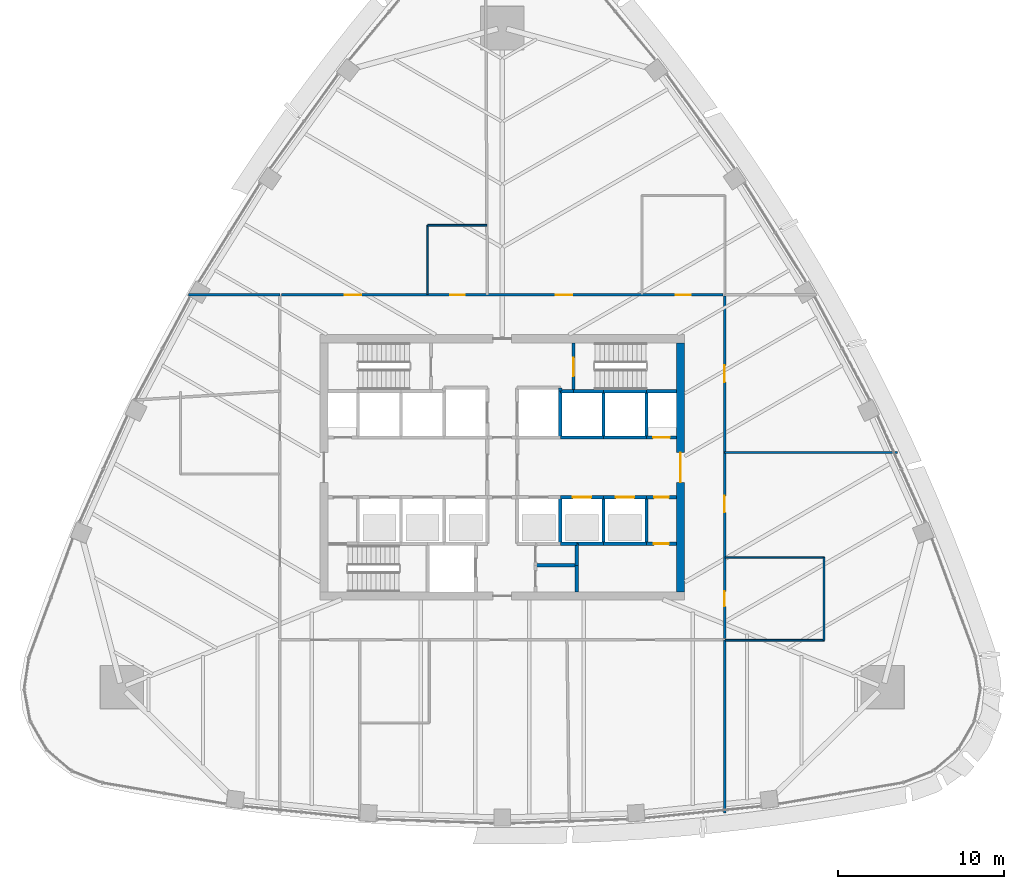
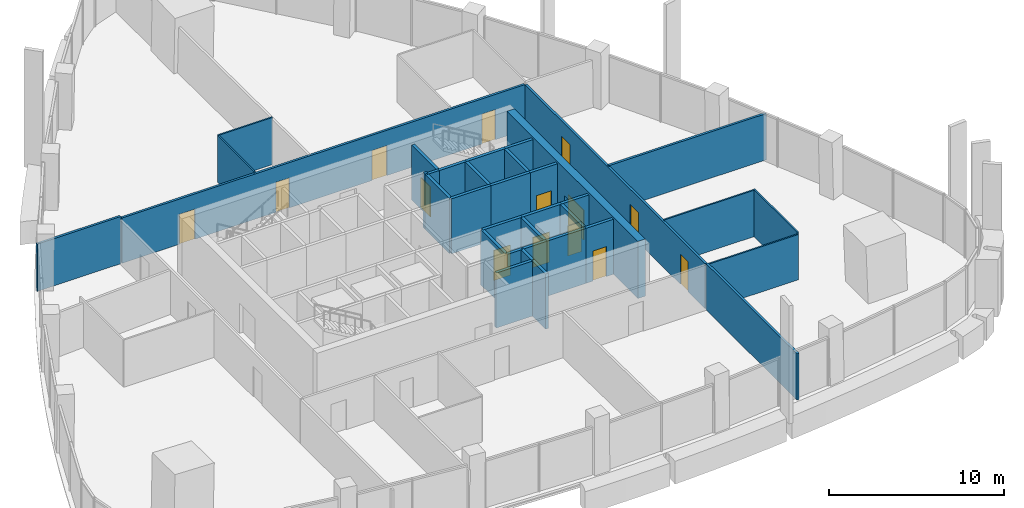
# One storey, part 11 of 17: 36 walls, 14 doors, 14 openings.
"""IFC4 building model written with IfcOpenShell, lengths in metres."""

from ifc_helpers import new_model, si_unit, direction, frame, frame_2d, origin, place, context, subcontext, project, spatial, rectangle, extrude, material, layer, layer_set, type_object, element, fill, save


model = new_model("IFC4")

# Units and contexts
model_context = context("Model", 3, precision=1e-05, world=origin(), true_north=direction((0.0, 1.0)))
body_context = subcontext(model_context, "Body", "Model", "MODEL_VIEW")
ifc_project = project(units=[si_unit("LENGTHUNIT", "METRE"), si_unit("AREAUNIT", "SQUARE_METRE"), si_unit("VOLUMEUNIT", "CUBIC_METRE"), si_unit("PLANEANGLEUNIT", "RADIAN"), si_unit("MASSUNIT", "GRAM", prefix="KILO")], contexts=[model_context])

# Site, building, storey
site_placement = place(None, origin())
site = spatial("IfcSite", under=ifc_project, at=site_placement, CompositionType="ELEMENT")
building_placement = place(site_placement, origin())
building = spatial("IfcBuilding", under=site, at=building_placement, Name="Sierra Prisma Convention Tower", CompositionType="ELEMENT")
storey_placement = place(building_placement, frame((0.0, 0.0, 201.800048828125)))
storey = spatial("IfcBuildingStorey", under=building, at=storey_placement, Name="L45", CompositionType="ELEMENT", Elevation=201.800048828125)

# Walls
ifc_material_1 = material(Name="Gypsum board partition", Category="gypsum")
ifc_layer_1 = layer(ifc_material_1, 0.10009765625)
ifc_layer_set_1 = layer_set([ifc_layer_1], Name="Bathroom partition 100")
wall_type_1 = type_object("IfcWallType", Name="Bathroom partition 100", PredefinedType="PARTITIONING", material=ifc_layer_set_1)
wall_1_placement = place(storey_placement, frame((-4.5, 10.429931640625, 0.0), z_axis=(0.0, 0.0, 1.0), x_axis=(0.0, 1.0, 0.0)))
element("IfcWall", 1, at=wall_1_placement, inside=storey, type_object=wall_type_1, Name="Partition L45 bath 5", PredefinedType="PARTITIONING", context=body_context, shape_type="SweptSolid", body=[
    extrude(rectangle(XDim=4.170166015625, YDim=0.10009765625, at=frame_2d((2.0849609375, 0.0))), origin(), (0.0, 0.0, 1.0), 3.300048828125),
])
wall_2_placement = place(storey_placement, frame((-4.5, 14.60009765625, 0.0), z_axis=(0.0, 0.0, 1.0), x_axis=(1.0, 0.0, 0.0)))
element("IfcWall", 2, at=wall_2_placement, inside=storey, type_object=wall_type_1, Name="Partition L45 bath 6", PredefinedType="PARTITIONING", context=body_context, shape_type="SweptSolid", body=[
    extrude(rectangle(XDim=3.570068359375, YDim=0.10009765625, at=frame_2d((1.78515625, 0.0))), origin(), (0.0, 0.0, 1.0), 3.300048828125),
])
wall_3_placement = place(storey_placement, frame((13.429931640625, -5.419921875, 0.0), z_axis=(0.0, 0.0, 1.0), x_axis=(1.0, 0.0, 0.0)))
element("IfcWall", 3, at=wall_3_placement, inside=storey, type_object=wall_type_1, Name="Partition L45 bath 10", PredefinedType="PARTITIONING", context=body_context, shape_type="SweptSolid", body=[
    extrude(rectangle(XDim=5.969970703125, YDim=0.10009765625, at=frame_2d((2.98486328125, 0.0))), origin(), (0.0, 0.0, 1.0), 3.2470703125),
])
wall_4_placement = place(storey_placement, frame((19.39990234375, -5.419921875, 0.0), z_axis=(0.0, 0.0, 1.0), x_axis=(0.0, -1.0, 0.0)))
element("IfcWall", 4, at=wall_4_placement, inside=storey, type_object=wall_type_1, Name="Partition L45 bath 11", PredefinedType="PARTITIONING", context=body_context, shape_type="SweptSolid", body=[
    extrude(rectangle(XDim=5.0, YDim=0.10009765625, at=frame_2d((2.5, 0.0))), origin(), (0.0, 0.0, 1.0), 3.300048828125),
])
wall_5_placement = place(storey_placement, frame((19.39990234375, -10.419921875, 0.0), z_axis=(0.0, 0.0, 1.0), x_axis=(-1.0, 0.0, 0.0)))
element("IfcWall", 5, at=wall_5_placement, inside=storey, type_object=wall_type_1, Name="Partition L45 bath 12", PredefinedType="PARTITIONING", context=body_context, shape_type="SweptSolid", body=[
    extrude(rectangle(XDim=5.969970703125, YDim=0.10009765625, at=frame_2d((2.98486328125, 0.0))), origin(), (0.0, 0.0, 1.0), 3.166015625),
])
ifc_material_2 = material(Name="Concrete C30/37", Category="concrete")
ifc_layer_2 = layer(ifc_material_2, 0.199951171875)
ifc_layer_set_2 = layer_set([ifc_layer_2], Name="Core wall RC 200 C30/37")
wall_type_2 = type_object("IfcWallType", Name="Core wall RC 200 C30/37", PredefinedType="SOLIDWALL", material=ifc_layer_set_2)
wall_6_placement = place(storey_placement, frame((3.5, 4.60009765625, 0.0), z_axis=(0.0, 0.0, 1.0), x_axis=(0.0, 1.0, 0.0)))
element("IfcWall", 6, at=wall_6_placement, inside=storey, type_object=wall_type_2, Name="Core wall L45 40", PredefinedType="SOLIDWALL", context=body_context, shape_type="SweptSolid", body=[
    extrude(rectangle(XDim=0.199951171875, YDim=0.199951171875, at=frame_2d((0.10009765625, 0.0))), origin(), (0.0, 0.0, 1.0), 3.849853515625),
])
wall_7_placement = place(storey_placement, frame((4.5, -5.89990234375, 0.0), z_axis=(0.0, 0.0, 1.0), x_axis=(-1.0, 0.0, 0.0)))
element("IfcWall", 7, at=wall_7_placement, inside=storey, type_object=wall_type_2, Name="Core wall L45 44", PredefinedType="SOLIDWALL", context=body_context, shape_type="SweptSolid", body=[
    extrude(rectangle(XDim=2.5, YDim=0.199951171875, at=frame_2d((1.25, 0.0))), origin(), (0.0, 0.0, 1.0), 3.849853515625),
])
wall_8_placement = place(storey_placement, frame((4.5, -4.60009765625, 0.0), z_axis=(0.0, 0.0, 1.0), x_axis=(-1.0, 0.0, 0.0)))
element("IfcWall", 8, at=wall_8_placement, inside=storey, type_object=wall_type_2, Name="Core wall L45 47", PredefinedType="SOLIDWALL", context=body_context, shape_type="SweptSolid", body=[
    extrude(rectangle(XDim=1.0, YDim=0.199951171875, at=frame_2d((0.5, 0.0))), origin(), (0.0, 0.0, 1.0), 3.849853515625),
])
wall_9_placement = place(storey_placement, frame((3.5, -4.60009765625, 0.0), z_axis=(0.0, 0.0, 1.0), x_axis=(0.0, 1.0, 0.0)))
element("IfcWall", 9, at=wall_9_placement, inside=storey, type_object=wall_type_2, Name="Core wall L45 48", PredefinedType="SOLIDWALL", context=body_context, shape_type="SweptSolid", body=[
    extrude(rectangle(XDim=2.800048828125, YDim=0.199951171875, at=frame_2d((1.39990234375, 0.0))), origin(), (0.0, 0.0, 1.0), 3.849853515625),
])

# Wall, opening, door
wall_10_placement = place(storey_placement, frame((3.5, -1.800048828125, 0.0), z_axis=(0.0, 0.0, 1.0), x_axis=(1.0, 0.0, 0.0)))
wall_10 = element("IfcWall", 10, at=wall_10_placement, inside=storey, type_object=wall_type_2, Name="Core wall L45 49", PredefinedType="SOLIDWALL", context=body_context, shape_type="SweptSolid", body=[
    extrude(rectangle(XDim=2.60009765625, YDim=0.199951171875, at=frame_2d((1.300048828125, 0.0))), origin(), (0.0, 0.0, 1.0), 3.849853515625),
])
opening_1_placement = place(wall_10_placement, frame((0.75, 0.0, 0.0)))
opening_1 = element("IfcOpeningElement", 11, at=opening_1_placement, cuts=wall_10, Name="Opening L45-D005", PredefinedType="OPENING", context=body_context, shape_type="SweptSolid", body=[
    extrude(rectangle(XDim=1.10009765625, YDim=2.10009765625, at=frame_2d((0.550048828125, 1.050048828125))), frame((0.0, 0.10009765625, 0.0), z_axis=(0.0, -1.0, 0.0), x_axis=(1.0, 0.0, 0.0)), (0.0, 0.0, 1.0), 0.199951171875),
])
ifc_material_3 = material(Name="Steel fire door leaf", Category="steel")
door_type_1 = type_object("IfcDoorType", Name="Door 1100x2100 EI 90 sliding lift landing", OperationType="SLIDING_TO_LEFT", PredefinedType="DOOR", material=ifc_material_3)
door_1_placement = place(opening_1_placement, origin())
door_1 = element("IfcDoor", 12, at=door_1_placement, inside=storey, type_object=door_type_1, Name="Door L45 19", OperationType="SLIDING_TO_LEFT", OverallHeight=2.10009765625, OverallWidth=1.10009765625, PredefinedType="DOOR", context=body_context, shape_type="SweptSolid", body=[
    extrude(rectangle(XDim=1.10009765625, YDim=2.10009765625, at=frame_2d((0.550048828125, 1.050048828125))), frame((0.0, 0.02490234375, 0.0), z_axis=(0.0, -1.0, 0.0), x_axis=(1.0, 0.0, 0.0)), (0.0, 0.0, 1.0), 0.050048828125),
])
fill(opening_1, door_1)

# Walls
wall_11_placement = place(storey_placement, frame((6.10009765625, 1.800048828125, 0.0), z_axis=(0.0, 0.0, 1.0), x_axis=(-1.0, 0.0, 0.0)))
element("IfcWall", 13, at=wall_11_placement, inside=storey, type_object=wall_type_2, Name="Core wall L45 50", PredefinedType="SOLIDWALL", context=body_context, shape_type="SweptSolid", body=[
    extrude(rectangle(XDim=2.60009765625, YDim=0.199951171875, at=frame_2d((1.300048828125, 0.0))), origin(), (0.0, 0.0, 1.0), 3.849853515625),
])
wall_12_placement = place(storey_placement, frame((3.5, 1.800048828125, 0.0), z_axis=(0.0, 0.0, 1.0), x_axis=(0.0, 1.0, 0.0)))
element("IfcWall", 14, at=wall_12_placement, inside=storey, type_object=wall_type_2, Name="Core wall L45 51", PredefinedType="SOLIDWALL", context=body_context, shape_type="SweptSolid", body=[
    extrude(rectangle(XDim=2.800048828125, YDim=0.199951171875, at=frame_2d((1.39990234375, 0.0))), origin(), (0.0, 0.0, 1.0), 3.849853515625),
])
wall_13_placement = place(storey_placement, frame((4.300048828125, 4.60009765625, 0.0), z_axis=(0.0, 0.0, 1.0), x_axis=(-1.0, 0.0, 0.0)))
element("IfcWall", 15, at=wall_13_placement, inside=storey, type_object=wall_type_2, Name="Core wall L45 52", PredefinedType="SOLIDWALL", context=body_context, shape_type="SweptSolid", body=[
    extrude(rectangle(XDim=0.800048828125, YDim=0.199951171875, at=frame_2d((0.39990234375, 0.0))), origin(), (0.0, 0.0, 1.0), 3.849853515625),
])
wall_14_placement = place(storey_placement, frame((6.10009765625, 4.60009765625, 0.0), z_axis=(0.0, 0.0, 1.0), x_axis=(-1.0, 0.0, 0.0)))
element("IfcWall", 16, at=wall_14_placement, inside=storey, type_object=wall_type_2, Name="Core wall L45 53", PredefinedType="SOLIDWALL", context=body_context, shape_type="SweptSolid", body=[
    extrude(rectangle(XDim=1.800048828125, YDim=0.199951171875, at=frame_2d((0.89990234375, 0.0))), origin(), (0.0, 0.0, 1.0), 3.849853515625),
])

# Wall, opening, door
wall_15_placement = place(storey_placement, frame((4.300048828125, 7.5, 0.0), z_axis=(0.0, 0.0, 1.0), x_axis=(0.0, -1.0, 0.0)))
wall_15 = element("IfcWall", 17, at=wall_15_placement, inside=storey, type_object=wall_type_2, Name="Core wall L45 54", PredefinedType="SOLIDWALL", context=body_context, shape_type="SweptSolid", body=[
    extrude(rectangle(XDim=2.89990234375, YDim=0.199951171875, at=frame_2d((1.449951171875, 0.0))), origin(), (0.0, 0.0, 1.0), 3.849853515625),
])
opening_2_placement = place(wall_15_placement, frame((0.89990234375, 0.0, 0.0)))
opening_2 = element("IfcOpeningElement", 18, at=opening_2_placement, cuts=wall_15, Name="Opening L45-D019", PredefinedType="OPENING", context=body_context, shape_type="SweptSolid", body=[
    extrude(rectangle(XDim=1.10009765625, YDim=2.10009765625, at=frame_2d((0.550048828125, 1.050048828125))), frame((0.0, 0.10009765625, 0.0), z_axis=(0.0, -1.0, 0.0), x_axis=(1.0, 0.0, 0.0)), (0.0, 0.0, 1.0), 0.199951171875),
])
ifc_material_4 = material(Name="Steel fire door leaf", Category="steel")
door_type_2 = type_object("IfcDoorType", Name="Door 1100x2100 FD90S", OperationType="SINGLE_SWING_LEFT", PredefinedType="DOOR", material=ifc_material_4)
door_2_placement = place(opening_2_placement, origin())
door_2 = element("IfcDoor", 19, at=door_2_placement, inside=storey, type_object=door_type_2, Name="Door L45 33", OperationType="SINGLE_SWING_RIGHT", OverallHeight=2.10009765625, OverallWidth=1.10009765625, PredefinedType="DOOR", context=body_context, shape_type="SweptSolid", body=[
    extrude(rectangle(XDim=1.10009765625, YDim=2.10009765625, at=frame_2d((0.550048828125, 1.050048828125))), frame((0.0, 0.02490234375, 0.0), z_axis=(0.0, -1.0, 0.0), x_axis=(1.0, 0.0, 0.0)), (0.0, 0.0, 1.0), 0.050048828125),
])
fill(opening_2, door_2)

# Walls
wall_16_placement = place(storey_placement, frame((4.5, -5.89990234375, 0.0), z_axis=(0.0, 0.0, 1.0), x_axis=(0.0, -1.0, 0.0)))
element("IfcWall", 20, at=wall_16_placement, inside=storey, type_object=wall_type_2, Name="Core wall L45 55", PredefinedType="SOLIDWALL", context=body_context, shape_type="SweptSolid", body=[
    extrude(rectangle(XDim=1.60009765625, YDim=0.199951171875, at=frame_2d((0.800048828125, 0.0))), origin(), (0.0, 0.0, 1.0), 3.849853515625),
])
wall_17_placement = place(storey_placement, frame((4.5, -4.60009765625, 0.0), z_axis=(0.0, 0.0, 1.0), x_axis=(0.0, -1.0, 0.0)))
element("IfcWall", 21, at=wall_17_placement, inside=storey, type_object=wall_type_2, Name="Core wall L45 56", PredefinedType="SOLIDWALL", context=body_context, shape_type="SweptSolid", body=[
    extrude(rectangle(XDim=1.2998046875, YDim=0.199951171875, at=frame_2d((0.64990234375, 0.0))), origin(), (0.0, 0.0, 1.0), 3.849853515625),
])
wall_18_placement = place(storey_placement, frame((6.10009765625, -4.60009765625, 0.0), z_axis=(0.0, 0.0, 1.0), x_axis=(-1.0, 0.0, 0.0)))
element("IfcWall", 22, at=wall_18_placement, inside=storey, type_object=wall_type_2, Name="Core wall L45 57", PredefinedType="SOLIDWALL", context=body_context, shape_type="SweptSolid", body=[
    extrude(rectangle(XDim=1.60009765625, YDim=0.199951171875, at=frame_2d((0.800048828125, 0.0))), origin(), (0.0, 0.0, 1.0), 3.849853515625),
])
wall_19_placement = place(storey_placement, frame((8.699951171875, -4.60009765625, 0.0), z_axis=(0.0, 0.0, 1.0), x_axis=(-1.0, 0.0, 0.0)))
element("IfcWall", 23, at=wall_19_placement, inside=storey, type_object=wall_type_2, Name="Core wall L45 58", PredefinedType="SOLIDWALL", context=body_context, shape_type="SweptSolid", body=[
    extrude(rectangle(XDim=2.599853515625, YDim=0.199951171875, at=frame_2d((1.2998046875, 0.0))), origin(), (0.0, 0.0, 1.0), 3.849853515625),
])
wall_20_placement = place(storey_placement, frame((6.10009765625, -4.60009765625, 0.0), z_axis=(0.0, 0.0, 1.0), x_axis=(0.0, 1.0, 0.0)))
element("IfcWall", 24, at=wall_20_placement, inside=storey, type_object=wall_type_2, Name="Core wall L45 59", PredefinedType="SOLIDWALL", context=body_context, shape_type="SweptSolid", body=[
    extrude(rectangle(XDim=2.800048828125, YDim=0.199951171875, at=frame_2d((1.39990234375, 0.0))), origin(), (0.0, 0.0, 1.0), 3.849853515625),
])

# Wall, opening, door
wall_21_placement = place(storey_placement, frame((6.10009765625, -1.800048828125, 0.0), z_axis=(0.0, 0.0, 1.0), x_axis=(1.0, 0.0, 0.0)))
wall_21 = element("IfcWall", 25, at=wall_21_placement, inside=storey, type_object=wall_type_2, Name="Core wall L45 60", PredefinedType="SOLIDWALL", context=body_context, shape_type="SweptSolid", body=[
    extrude(rectangle(XDim=2.599853515625, YDim=0.199951171875, at=frame_2d((1.2998046875, 0.0))), origin(), (0.0, 0.0, 1.0), 3.849853515625),
])
opening_3_placement = place(wall_21_placement, frame((0.75, 0.0, 0.0)))
opening_3 = element("IfcOpeningElement", 26, at=opening_3_placement, cuts=wall_21, Name="Opening L45-D006", PredefinedType="OPENING", context=body_context, shape_type="SweptSolid", body=[
    extrude(rectangle(XDim=1.10009765625, YDim=2.10009765625, at=frame_2d((0.550048828125, 1.050048828125))), frame((0.0, 0.10009765625, 0.0), z_axis=(0.0, -1.0, 0.0), x_axis=(1.0, 0.0, 0.0)), (0.0, 0.0, 1.0), 0.199951171875),
])
door_3_placement = place(opening_3_placement, origin())
door_3 = element("IfcDoor", 27, at=door_3_placement, inside=storey, type_object=door_type_1, Name="Door L45 20", OperationType="SLIDING_TO_RIGHT", OverallHeight=2.10009765625, OverallWidth=1.10009765625, PredefinedType="DOOR", context=body_context, shape_type="SweptSolid", body=[
    extrude(rectangle(XDim=1.10009765625, YDim=2.10009765625, at=frame_2d((0.550048828125, 1.050048828125))), frame((0.0, 0.02490234375, 0.0), z_axis=(0.0, -1.0, 0.0), x_axis=(1.0, 0.0, 0.0)), (0.0, 0.0, 1.0), 0.050048828125),
])
fill(opening_3, door_3)

# Walls
wall_22_placement = place(storey_placement, frame((8.699951171875, 1.800048828125, 0.0), z_axis=(0.0, 0.0, 1.0), x_axis=(-1.0, 0.0, 0.0)))
element("IfcWall", 28, at=wall_22_placement, inside=storey, type_object=wall_type_2, Name="Core wall L45 61", PredefinedType="SOLIDWALL", context=body_context, shape_type="SweptSolid", body=[
    extrude(rectangle(XDim=2.599853515625, YDim=0.199951171875, at=frame_2d((1.2998046875, 0.0))), origin(), (0.0, 0.0, 1.0), 3.849853515625),
])
wall_23_placement = place(storey_placement, frame((6.10009765625, 1.800048828125, 0.0), z_axis=(0.0, 0.0, 1.0), x_axis=(0.0, 1.0, 0.0)))
element("IfcWall", 29, at=wall_23_placement, inside=storey, type_object=wall_type_2, Name="Core wall L45 62", PredefinedType="SOLIDWALL", context=body_context, shape_type="SweptSolid", body=[
    extrude(rectangle(XDim=2.800048828125, YDim=0.199951171875, at=frame_2d((1.39990234375, 0.0))), origin(), (0.0, 0.0, 1.0), 3.849853515625),
])
wall_24_placement = place(storey_placement, frame((8.699951171875, 4.60009765625, 0.0), z_axis=(0.0, 0.0, 1.0), x_axis=(-1.0, 0.0, 0.0)))
element("IfcWall", 30, at=wall_24_placement, inside=storey, type_object=wall_type_2, Name="Core wall L45 63", PredefinedType="SOLIDWALL", context=body_context, shape_type="SweptSolid", body=[
    extrude(rectangle(XDim=2.599853515625, YDim=0.199951171875, at=frame_2d((1.2998046875, 0.0))), origin(), (0.0, 0.0, 1.0), 3.849853515625),
])

# Wall, opening, door
wall_25_placement = place(storey_placement, frame((10.5, -4.60009765625, 0.0), z_axis=(0.0, 0.0, 1.0), x_axis=(-1.0, 0.0, 0.0)))
wall_25 = element("IfcWall", 31, at=wall_25_placement, inside=storey, type_object=wall_type_2, Name="Core wall L45 64", PredefinedType="SOLIDWALL", context=body_context, shape_type="SweptSolid", body=[
    extrude(rectangle(XDim=1.800048828125, YDim=0.199951171875, at=frame_2d((0.89990234375, 0.0))), origin(), (0.0, 0.0, 1.0), 3.849853515625),
])
opening_4_placement = place(wall_25_placement, frame((0.4599609375, 0.0, 0.0)))
opening_4 = element("IfcOpeningElement", 32, at=opening_4_placement, cuts=wall_25, Name="Opening L45-D020", PredefinedType="OPENING", context=body_context, shape_type="SweptSolid", body=[
    extrude(rectangle(XDim=0.89990234375, YDim=2.10009765625, at=frame_2d((0.449951171875, 1.050048828125))), frame((0.0, 0.10009765625, 0.0), z_axis=(0.0, -1.0, 0.0), x_axis=(1.0, 0.0, 0.0)), (0.0, 0.0, 1.0), 0.199951171875),
])
ifc_material_5 = material(Name="Steel fire door leaf", Category="steel")
door_type_3 = type_object("IfcDoorType", Name="Door 900x2100 FD30S", OperationType="SINGLE_SWING_LEFT", PredefinedType="DOOR", material=ifc_material_5)
door_4_placement = place(opening_4_placement, origin())
door_4 = element("IfcDoor", 33, at=door_4_placement, inside=storey, type_object=door_type_3, Name="Door L45 34", OperationType="SINGLE_SWING_LEFT", OverallHeight=2.10009765625, OverallWidth=0.89990234375, PredefinedType="DOOR", context=body_context, shape_type="SweptSolid", body=[
    extrude(rectangle(XDim=0.89990234375, YDim=2.10009765625, at=frame_2d((0.449951171875, 1.050048828125))), frame((0.0, 0.02490234375, 0.0), z_axis=(0.0, -1.0, 0.0), x_axis=(1.0, 0.0, 0.0)), (0.0, 0.0, 1.0), 0.050048828125),
])
fill(opening_4, door_4)

# Wall
wall_26_placement = place(storey_placement, frame((8.699951171875, -1.800048828125, 0.0), z_axis=(0.0, 0.0, 1.0), x_axis=(0.0, -1.0, 0.0)))
element("IfcWall", 34, at=wall_26_placement, inside=storey, type_object=wall_type_2, Name="Core wall L45 65", PredefinedType="SOLIDWALL", context=body_context, shape_type="SweptSolid", body=[
    extrude(rectangle(XDim=2.800048828125, YDim=0.199951171875, at=frame_2d((1.39990234375, 0.0))), origin(), (0.0, 0.0, 1.0), 3.849853515625),
])

# Wall, opening, door
wall_27_placement = place(storey_placement, frame((8.699951171875, -1.800048828125, 0.0), z_axis=(0.0, 0.0, 1.0), x_axis=(1.0, 0.0, 0.0)))
wall_27 = element("IfcWall", 35, at=wall_27_placement, inside=storey, type_object=wall_type_2, Name="Core wall L45 66", PredefinedType="SOLIDWALL", context=body_context, shape_type="SweptSolid", body=[
    extrude(rectangle(XDim=1.800048828125, YDim=0.199951171875, at=frame_2d((0.89990234375, 0.0))), origin(), (0.0, 0.0, 1.0), 3.849853515625),
])
opening_5_placement = place(wall_27_placement, frame((0.449951171875, 0.0, 0.0)))
opening_5 = element("IfcOpeningElement", 36, at=opening_5_placement, cuts=wall_27, Name="Opening L45-D021", PredefinedType="OPENING", context=body_context, shape_type="SweptSolid", body=[
    extrude(rectangle(XDim=0.89990234375, YDim=2.10009765625, at=frame_2d((0.449951171875, 1.050048828125))), frame((0.0, 0.10009765625, 0.0), z_axis=(0.0, -1.0, 0.0), x_axis=(1.0, 0.0, 0.0)), (0.0, 0.0, 1.0), 0.199951171875),
])
door_5_placement = place(opening_5_placement, origin())
door_5 = element("IfcDoor", 37, at=door_5_placement, inside=storey, type_object=door_type_3, Name="Door L45 35", OperationType="SINGLE_SWING_LEFT", OverallHeight=2.10009765625, OverallWidth=0.89990234375, PredefinedType="DOOR", context=body_context, shape_type="SweptSolid", body=[
    extrude(rectangle(XDim=0.89990234375, YDim=2.10009765625, at=frame_2d((0.449951171875, 1.050048828125))), frame((0.0, 0.02490234375, 0.0), z_axis=(0.0, -1.0, 0.0), x_axis=(1.0, 0.0, 0.0)), (0.0, 0.0, 1.0), 0.050048828125),
])
fill(opening_5, door_5)

wall_28_placement = place(storey_placement, frame((10.5, 1.800048828125, 0.0), z_axis=(0.0, 0.0, 1.0), x_axis=(-1.0, 0.0, 0.0)))
wall_28 = element("IfcWall", 38, at=wall_28_placement, inside=storey, type_object=wall_type_2, Name="Core wall L45 67", PredefinedType="SOLIDWALL", context=body_context, shape_type="SweptSolid", body=[
    extrude(rectangle(XDim=1.800048828125, YDim=0.199951171875, at=frame_2d((0.89990234375, 0.0))), origin(), (0.0, 0.0, 1.0), 3.849853515625),
])
opening_6_placement = place(wall_28_placement, frame((0.39990234375, 0.0, 0.0)))
opening_6 = element("IfcOpeningElement", 39, at=opening_6_placement, cuts=wall_28, Name="Opening L45-D016", PredefinedType="OPENING", context=body_context, shape_type="SweptSolid", body=[
    extrude(rectangle(XDim=1.0, YDim=2.10009765625, at=frame_2d((0.5, 1.050048828125))), frame((0.0, 0.10009765625, 0.0), z_axis=(0.0, -1.0, 0.0), x_axis=(1.0, 0.0, 0.0)), (0.0, 0.0, 1.0), 0.199951171875),
])
ifc_material_6 = material(Name="Steel fire door leaf", Category="steel")
door_type_4 = type_object("IfcDoorType", Name="Door 1000x2100 FD60S", OperationType="SINGLE_SWING_LEFT", PredefinedType="DOOR", material=ifc_material_6)
door_6_placement = place(opening_6_placement, origin())
door_6 = element("IfcDoor", 40, at=door_6_placement, inside=storey, type_object=door_type_4, Name="Door L45 30", OperationType="SINGLE_SWING_LEFT", OverallHeight=2.10009765625, OverallWidth=1.0, PredefinedType="DOOR", context=body_context, shape_type="SweptSolid", body=[
    extrude(rectangle(XDim=1.0, YDim=2.10009765625, at=frame_2d((0.5, 1.050048828125))), frame((0.0, 0.02490234375, 0.0), z_axis=(0.0, -1.0, 0.0), x_axis=(1.0, 0.0, 0.0)), (0.0, 0.0, 1.0), 0.050048828125),
])
fill(opening_6, door_6)

# Walls
wall_29_placement = place(storey_placement, frame((8.699951171875, 4.60009765625, 0.0), z_axis=(0.0, 0.0, 1.0), x_axis=(0.0, -1.0, 0.0)))
element("IfcWall", 41, at=wall_29_placement, inside=storey, type_object=wall_type_2, Name="Core wall L45 68", PredefinedType="SOLIDWALL", context=body_context, shape_type="SweptSolid", body=[
    extrude(rectangle(XDim=2.800048828125, YDim=0.199951171875, at=frame_2d((1.39990234375, 0.0))), origin(), (0.0, 0.0, 1.0), 3.849853515625),
])
wall_30_placement = place(storey_placement, frame((10.5, 4.60009765625, 0.0), z_axis=(0.0, 0.0, 1.0), x_axis=(-1.0, 0.0, 0.0)))
element("IfcWall", 42, at=wall_30_placement, inside=storey, type_object=wall_type_2, Name="Core wall L45 69", PredefinedType="SOLIDWALL", context=body_context, shape_type="SweptSolid", body=[
    extrude(rectangle(XDim=1.800048828125, YDim=0.199951171875, at=frame_2d((0.89990234375, 0.0))), origin(), (0.0, 0.0, 1.0), 3.849853515625),
])

# Wall, opening, door
ifc_material_7 = material(Name="Concrete C60/75", Category="concrete")
ifc_layer_3 = layer(ifc_material_7, 0.5)
ifc_layer_set_3 = layer_set([ifc_layer_3], Name="Core wall RC 500 C60/75")
wall_type_3 = type_object("IfcWallType", Name="Core wall RC 500 C60/75", PredefinedType="SHEAR", material=ifc_layer_set_3)
wall_31_placement = place(storey_placement, frame((10.75, -7.5, 0.0), z_axis=(0.0, 0.0, 1.0), x_axis=(0.0, 1.0, 0.0)))
wall_31 = element("IfcWall", 43, at=wall_31_placement, inside=storey, type_object=wall_type_3, Name="Core wall E L45", PredefinedType="SHEAR", context=body_context, shape_type="SweptSolid", body=[
    extrude(rectangle(XDim=15.0, YDim=0.5, at=frame_2d((7.5, 0.0))), origin(), (0.0, 0.0, 1.0), 4.0),
])
opening_7_placement = place(wall_31_placement, frame((6.60009765625, 0.0, 0.0)))
opening_7 = element("IfcOpeningElement", 44, at=opening_7_placement, cuts=wall_31, Name="Opening L45-D038", PredefinedType="OPENING", context=body_context, shape_type="SweptSolid", body=[
    extrude(rectangle(XDim=1.800048828125, YDim=2.10009765625, at=frame_2d((0.89990234375, 1.050048828125))), frame((0.0, 0.25, 0.0), z_axis=(0.0, -1.0, 0.0), x_axis=(1.0, 0.0, 0.0)), (0.0, 0.0, 1.0), 0.5),
])
ifc_material_8 = material(Name="Steel fire door leaf", Category="steel")
door_type_5 = type_object("IfcDoorType", Name="Door 1800x2100 FD60S", OperationType="DOUBLE_DOOR_SINGLE_SWING", PredefinedType="DOOR", material=ifc_material_8)
door_7_placement = place(opening_7_placement, origin())
door_7 = element("IfcDoor", 45, at=door_7_placement, inside=storey, type_object=door_type_5, Name="Door L45 39", OperationType="DOUBLE_DOOR_SINGLE_SWING", OverallHeight=2.10009765625, OverallWidth=1.800048828125, PredefinedType="DOOR", context=body_context, shape_type="SweptSolid", body=[
    extrude(rectangle(XDim=1.800048828125, YDim=2.10009765625, at=frame_2d((0.89990234375, 1.050048828125))), frame((0.0, 0.02490234375, 0.0), z_axis=(0.0, -1.0, 0.0), x_axis=(1.0, 0.0, 0.0)), (0.0, 0.0, 1.0), 0.050048828125),
])
fill(opening_7, door_7)

# Wall, openings, doors
ifc_material_9 = material(Name="Gypsum board partition", Category="gypsum")
ifc_layer_4 = layer(ifc_material_9, 0.14990234375)
ifc_layer_set_4 = layer_set([ifc_layer_4], Name="Corridor wall 150 gypsum EI 60")
wall_type_4 = type_object("IfcWallType", Name="Corridor wall 150 gypsum EI 60", PredefinedType="PARTITIONING", material=ifc_layer_set_4)
wall_32_placement = place(storey_placement, frame((13.320068359375, 10.39990234375, 0.0), z_axis=(0.0, 0.0, 1.0), x_axis=(-1.0, 0.0, 0.0)))
wall_32 = element("IfcWall", 46, at=wall_32_placement, inside=storey, type_object=wall_type_4, Name="Partition L45 corr 3", PredefinedType="PARTITIONING", context=body_context, shape_type="SweptSolid", body=[
    extrude(rectangle(XDim=26.64013671875, YDim=0.14990234375, at=frame_2d((13.320068359375, 0.0))), origin(), (0.0, 0.0, 1.0), 3.166015625),
])
opening_8_placement = place(wall_32_placement, frame((1.949951171875, 0.0, 0.0)))
opening_8 = element("IfcOpeningElement", 47, at=opening_8_placement, cuts=wall_32, Name="Opening L45-D025", PredefinedType="OPENING", context=body_context, shape_type="SweptSolid", body=[
    extrude(rectangle(XDim=0.89990234375, YDim=2.10009765625, at=frame_2d((0.449951171875, 1.050048828125))), frame((0.0, 0.074951171875, 0.0), z_axis=(0.0, -1.0, 0.0), x_axis=(1.0, 0.0, 0.0)), (0.0, 0.0, 1.0), 0.14990234375),
])
opening_9_placement = place(wall_32_placement, frame((9.110107421875, 0.0, 0.0)))
opening_9 = element("IfcOpeningElement", 48, at=opening_9_placement, cuts=wall_32, Name="Opening L45-D026", PredefinedType="OPENING", context=body_context, shape_type="SweptSolid", body=[
    extrude(rectangle(XDim=1.0, YDim=2.10009765625, at=frame_2d((0.5, 1.050048828125))), frame((0.0, 0.074951171875, 0.0), z_axis=(0.0, -1.0, 0.0), x_axis=(1.0, 0.0, 0.0)), (0.0, 0.0, 1.0), 0.14990234375),
])
opening_10_placement = place(wall_32_placement, frame((15.570068359375, 0.0, 0.0)))
opening_10 = element("IfcOpeningElement", 49, at=opening_10_placement, cuts=wall_32, Name="Opening L45-D027", PredefinedType="OPENING", context=body_context, shape_type="SweptSolid", body=[
    extrude(rectangle(XDim=0.89990234375, YDim=2.10009765625, at=frame_2d((0.449951171875, 1.050048828125))), frame((0.0, 0.074951171875, 0.0), z_axis=(0.0, -1.0, 0.0), x_axis=(1.0, 0.0, 0.0)), (0.0, 0.0, 1.0), 0.14990234375),
])
opening_11_placement = place(wall_32_placement, frame((21.830078125, 0.0, 0.0)))
opening_11 = element("IfcOpeningElement", 50, at=opening_11_placement, cuts=wall_32, Name="Opening L45-D028", PredefinedType="OPENING", context=body_context, shape_type="SweptSolid", body=[
    extrude(rectangle(XDim=1.0, YDim=2.10009765625, at=frame_2d((0.5, 1.050048828125))), frame((0.0, 0.074951171875, 0.0), z_axis=(0.0, -1.0, 0.0), x_axis=(1.0, 0.0, 0.0)), (0.0, 0.0, 1.0), 0.14990234375),
])
ifc_material_10 = material(Name="Steel fire door leaf", Category="steel")
door_type_6 = type_object("IfcDoorType", Name="Door 1000x2100 FD30S", OperationType="SINGLE_SWING_LEFT", PredefinedType="DOOR", material=ifc_material_10)
door_8_placement = place(opening_9_placement, origin())
door_8 = element("IfcDoor", 51, at=door_8_placement, inside=storey, type_object=door_type_6, Name="Door L45 3", OperationType="SINGLE_SWING_LEFT", OverallHeight=2.10009765625, OverallWidth=1.0, PredefinedType="DOOR", context=body_context, shape_type="SweptSolid", body=[
    extrude(rectangle(XDim=1.0, YDim=2.10009765625, at=frame_2d((0.5, 1.050048828125))), frame((0.0, 0.02490234375, 0.0), z_axis=(0.0, -1.0, 0.0), x_axis=(1.0, 0.0, 0.0)), (0.0, 0.0, 1.0), 0.050048828125),
])
fill(opening_9, door_8)
door_9_placement = place(opening_11_placement, origin())
door_9 = element("IfcDoor", 52, at=door_9_placement, inside=storey, type_object=door_type_6, Name="Door L45 5", OperationType="SINGLE_SWING_RIGHT", OverallHeight=2.10009765625, OverallWidth=1.0, PredefinedType="DOOR", context=body_context, shape_type="SweptSolid", body=[
    extrude(rectangle(XDim=1.0, YDim=2.10009765625, at=frame_2d((0.5, 1.050048828125))), frame((0.0, 0.02490234375, 0.0), z_axis=(0.0, -1.0, 0.0), x_axis=(1.0, 0.0, 0.0)), (0.0, 0.0, 1.0), 0.050048828125),
])
fill(opening_11, door_9)
door_10_placement = place(opening_8_placement, origin())
door_10 = element("IfcDoor", 53, at=door_10_placement, inside=storey, type_object=door_type_3, Name="Door L45 2", OperationType="SINGLE_SWING_RIGHT", OverallHeight=2.10009765625, OverallWidth=0.89990234375, PredefinedType="DOOR", context=body_context, shape_type="SweptSolid", body=[
    extrude(rectangle(XDim=0.89990234375, YDim=2.10009765625, at=frame_2d((0.449951171875, 1.050048828125))), frame((0.0, 0.02490234375, 0.0), z_axis=(0.0, -1.0, 0.0), x_axis=(1.0, 0.0, 0.0)), (0.0, 0.0, 1.0), 0.050048828125),
])
fill(opening_8, door_10)
door_11_placement = place(opening_10_placement, origin())
door_11 = element("IfcDoor", 54, at=door_11_placement, inside=storey, type_object=door_type_3, Name="Door L45 4", OperationType="SINGLE_SWING_RIGHT", OverallHeight=2.10009765625, OverallWidth=0.89990234375, PredefinedType="DOOR", context=body_context, shape_type="SweptSolid", body=[
    extrude(rectangle(XDim=0.89990234375, YDim=2.10009765625, at=frame_2d((0.449951171875, 1.050048828125))), frame((0.0, 0.02490234375, 0.0), z_axis=(0.0, -1.0, 0.0), x_axis=(1.0, 0.0, 0.0)), (0.0, 0.0, 1.0), 0.050048828125),
])
fill(opening_10, door_11)

wall_33_placement = place(storey_placement, frame((13.39990234375, -10.320068359375, 0.0), z_axis=(0.0, 0.0, 1.0), x_axis=(0.0, 1.0, 0.0)))
wall_33 = element("IfcWall", 55, at=wall_33_placement, inside=storey, type_object=wall_type_4, Name="Partition L45 corr 4", PredefinedType="PARTITIONING", context=body_context, shape_type="SweptSolid", body=[
    extrude(rectangle(XDim=20.64013671875, YDim=0.14990234375, at=frame_2d((10.320068359375, 0.0))), origin(), (0.0, 0.0, 1.0), 3.166015625),
])
opening_12_placement = place(wall_33_placement, frame((15.469970703125, 0.0, 0.0)))
opening_12 = element("IfcOpeningElement", 56, at=opening_12_placement, cuts=wall_33, Name="Opening L45-D024", PredefinedType="OPENING", context=body_context, shape_type="SweptSolid", body=[
    extrude(rectangle(XDim=1.0, YDim=2.10009765625, at=frame_2d((0.5, 1.050048828125))), frame((0.0, 0.074951171875, 0.0), z_axis=(0.0, -1.0, 0.0), x_axis=(1.0, 0.0, 0.0)), (0.0, 0.0, 1.0), 0.14990234375),
])
opening_13_placement = place(wall_33_placement, frame((1.949951171875, 0.0, 0.0)))
opening_13 = element("IfcOpeningElement", 57, at=opening_13_placement, cuts=wall_33, Name="Opening L45-D036", PredefinedType="OPENING", context=body_context, shape_type="SweptSolid", body=[
    extrude(rectangle(XDim=0.89990234375, YDim=2.10009765625, at=frame_2d((0.449951171875, 1.050048828125))), frame((0.0, 0.074951171875, 0.0), z_axis=(0.0, -1.0, 0.0), x_axis=(1.0, 0.0, 0.0)), (0.0, 0.0, 1.0), 0.14990234375),
])
opening_14_placement = place(wall_33_placement, frame((7.610107421875, 0.0, 0.0)))
opening_14 = element("IfcOpeningElement", 58, at=opening_14_placement, cuts=wall_33, Name="Opening L45-D037", PredefinedType="OPENING", context=body_context, shape_type="SweptSolid", body=[
    extrude(rectangle(XDim=1.0, YDim=2.10009765625, at=frame_2d((0.5, 1.050048828125))), frame((0.0, 0.074951171875, 0.0), z_axis=(0.0, -1.0, 0.0), x_axis=(1.0, 0.0, 0.0)), (0.0, 0.0, 1.0), 0.14990234375),
])
door_12_placement = place(opening_12_placement, origin())
door_12 = element("IfcDoor", 59, at=door_12_placement, inside=storey, type_object=door_type_6, Name="Door L45 1", OperationType="SINGLE_SWING_RIGHT", OverallHeight=2.10009765625, OverallWidth=1.0, PredefinedType="DOOR", context=body_context, shape_type="SweptSolid", body=[
    extrude(rectangle(XDim=1.0, YDim=2.10009765625, at=frame_2d((0.5, 1.050048828125))), frame((0.0, 0.02490234375, 0.0), z_axis=(0.0, -1.0, 0.0), x_axis=(1.0, 0.0, 0.0)), (0.0, 0.0, 1.0), 0.050048828125),
])
fill(opening_12, door_12)
door_13_placement = place(opening_14_placement, origin())
door_13 = element("IfcDoor", 60, at=door_13_placement, inside=storey, type_object=door_type_6, Name="Door L45 14", OperationType="SINGLE_SWING_RIGHT", OverallHeight=2.10009765625, OverallWidth=1.0, PredefinedType="DOOR", context=body_context, shape_type="SweptSolid", body=[
    extrude(rectangle(XDim=1.0, YDim=2.10009765625, at=frame_2d((0.5, 1.050048828125))), frame((0.0, 0.02490234375, 0.0), z_axis=(0.0, -1.0, 0.0), x_axis=(1.0, 0.0, 0.0)), (0.0, 0.0, 1.0), 0.050048828125),
])
fill(opening_14, door_13)
door_14_placement = place(opening_13_placement, origin())
door_14 = element("IfcDoor", 61, at=door_14_placement, inside=storey, type_object=door_type_3, Name="Door L45 13", OperationType="SINGLE_SWING_RIGHT", OverallHeight=2.10009765625, OverallWidth=0.89990234375, PredefinedType="DOOR", context=body_context, shape_type="SweptSolid", body=[
    extrude(rectangle(XDim=0.89990234375, YDim=2.10009765625, at=frame_2d((0.449951171875, 1.050048828125))), frame((0.0, 0.02490234375, 0.0), z_axis=(0.0, -1.0, 0.0), x_axis=(1.0, 0.0, 0.0)), (0.0, 0.0, 1.0), 0.050048828125),
])
fill(opening_13, door_14)

# Walls
ifc_material_11 = material(Name="Gypsum board partition", Category="gypsum")
ifc_layer_5 = layer(ifc_material_11, 0.14990234375)
ifc_layer_set_5 = layer_set([ifc_layer_5], Name="Party wall 150 gypsum")
wall_type_5 = type_object("IfcWallType", Name="Party wall 150 gypsum", PredefinedType="PARTITIONING", material=ifc_layer_set_5)
wall_34_placement = place(storey_placement, frame((-13.39990234375, 10.39990234375, 0.0), z_axis=(0.0, 0.0, 1.0), x_axis=(-1.0, 0.0, 0.0)))
element("IfcWall", 62, at=wall_34_placement, inside=storey, type_object=wall_type_5, Name="Partition L45 party 2", PredefinedType="PARTITIONING", context=body_context, shape_type="SweptSolid", body=[
    extrude(rectangle(XDim=5.529296875, YDim=0.14990234375, at=frame_2d((2.7646484375, 0.0))), origin(), (0.0, 0.0, 1.0), 3.300048828125),
])
wall_35_placement = place(storey_placement, frame((13.39990234375, -10.39990234375, 0.0), z_axis=(0.0, 0.0, 1.0), x_axis=(0.0, -1.0, 0.0)))
element("IfcWall", 63, at=wall_35_placement, inside=storey, type_object=wall_type_5, Name="Partition L45 party 7", PredefinedType="PARTITIONING", context=body_context, shape_type="SweptSolid", body=[
    extrude(rectangle(XDim=10.440185546875, YDim=0.14990234375, at=frame_2d((5.22021484375, 0.0))), origin(), (0.0, 0.0, 1.0), 3.23388671875),
])
wall_36_placement = place(storey_placement, frame((23.816162109375, 0.89990234375, 0.0), z_axis=(0.0, 0.0, 1.0), x_axis=(-1.0, 0.0, 0.0)))
element("IfcWall", 64, at=wall_36_placement, inside=storey, type_object=wall_type_5, Name="Partition L45 party 8", PredefinedType="PARTITIONING", context=body_context, shape_type="SweptSolid", body=[
    extrude(rectangle(XDim=10.416259765625, YDim=0.14990234375, at=frame_2d((5.2080078125, 0.0))), origin(), (0.0, 0.0, 1.0), 3.23388671875),
])

save(model, "model.ifc")
